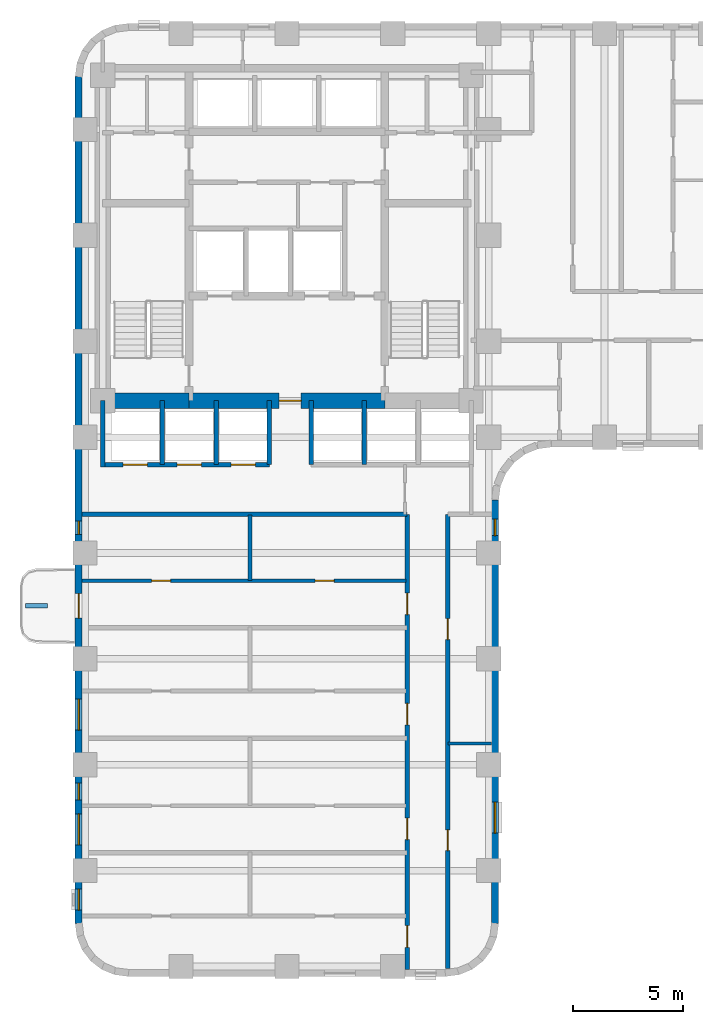
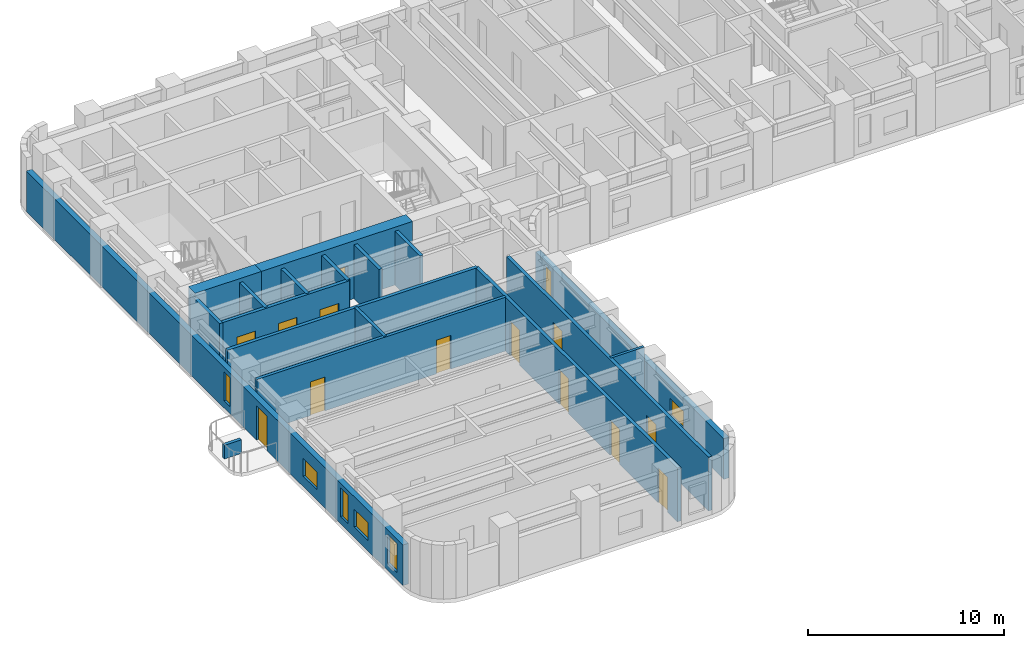
# One storey, part 3 of 11: 18 walls, 13 doors, 7 windows, 20 openings.
"""IFC4 building model written with IfcOpenShell, lengths in metres."""

from ifc_helpers import new_model, si_unit, direction, frame, frame_2d, origin, place, context, subcontext, project, spatial, rectangle, extrude, material, layer, layer_set, type_object, element, fill, save


model = new_model("IFC4")

# Units and contexts
model_context = context("Model", 3, precision=1e-05, world=origin(), true_north=direction((0.0, 1.0)))
body_context = subcontext(model_context, "Body", "Model", "MODEL_VIEW")
ifc_project = project(units=[si_unit("LENGTHUNIT", "METRE"), si_unit("AREAUNIT", "SQUARE_METRE"), si_unit("VOLUMEUNIT", "CUBIC_METRE"), si_unit("PLANEANGLEUNIT", "RADIAN"), si_unit("MASSUNIT", "GRAM", prefix="KILO")], contexts=[model_context])

# Site, building, storey
site_placement = place(None, origin())
site = spatial("IfcSite", under=ifc_project, at=site_placement, CompositionType="ELEMENT")
building_placement = place(site_placement, origin())
building = spatial("IfcBuilding", under=site, at=building_placement, Name="Orvandelia Arch Residences", CompositionType="ELEMENT")
storey_placement = place(building_placement, frame((0.0, 0.0, 86.199951171875)))
storey = spatial("IfcBuildingStorey", under=building, at=storey_placement, Name="L22", CompositionType="ELEMENT", Elevation=86.199951171875)

# Wall
ifc_material_1 = material(Name="Concrete C80/95", Category="concrete")
ifc_layer_1 = layer(ifc_material_1, 0.699951171875, Name="Concrete C80/95", Category="concrete")
ifc_layer_set_1 = layer_set([ifc_layer_1], Name="Concrete C80/95")
wall_type_1 = type_object("IfcWallType", Name="WL-CORE-700", PredefinedType="SHEAR", material=ifc_layer_set_1)
wall_1_placement = place(storey_placement, frame((6.050048828125, 30.89990234375, 0.0), z_axis=(0.0, 0.0, 1.0), x_axis=(1.0, 0.0, 0.0)))
element("IfcWall", 1, at=wall_1_placement, inside=storey, type_object=wall_type_1, Name="Core Shear Wall L22-SW", PredefinedType="SHEAR", context=body_context, shape_type="SweptSolid", body=[
    extrude(rectangle(XDim=3.909912109375, YDim=0.699951171875, at=frame_2d((1.955078125, 0.0))), origin(), (0.0, 0.0, 1.0), 3.60009765625),
])

# Wall, opening, door
wall_2_placement = place(storey_placement, frame((9.9599609375, 30.89990234375, 0.0), z_axis=(0.0, 0.0, 1.0), x_axis=(1.0, 0.0, 0.0)))
wall_2 = element("IfcWall", 2, at=wall_2_placement, inside=storey, type_object=wall_type_1, Name="Core Shear Wall L22-SM", PredefinedType="SHEAR", context=body_context, shape_type="SweptSolid", body=[
    extrude(rectangle(XDim=8.880126953125, YDim=0.699951171875, at=frame_2d((4.43994140625, 0.0))), origin(), (0.0, 0.0, 1.0), 3.60009765625),
])
opening_1_placement = place(wall_2_placement, frame((4.090087890625, 0.0, 0.0)))
opening_1 = element("IfcOpeningElement", 3, at=opening_1_placement, cuts=wall_2, Name="Opening D6", PredefinedType="OPENING", context=body_context, shape_type="SweptSolid", body=[
    extrude(rectangle(XDim=1.0, YDim=2.14990234375, at=frame_2d((0.5, 1.074951171875))), frame((0.0, 0.35986328125, 0.0), z_axis=(0.0, -1.0, 0.0), x_axis=(1.0, 0.0, 0.0)), (0.0, 0.0, 1.0), 0.719970703125),
])
ifc_material_2 = material(Name="Smokeproof Painted Steel Fire Door", Category="steel")
door_type_1 = type_object("IfcDoorType", Name="DR-FD60-1000", OperationType="NOTDEFINED", PredefinedType="DOOR", material=ifc_material_2)
door_1_placement = place(opening_1_placement, origin())
door_1 = element("IfcDoor", 4, at=door_1_placement, inside=storey, type_object=door_type_1, Name="Firefighting Lobby Smokeproof Door L22", OperationType="SINGLE_SWING_LEFT", OverallHeight=2.14990234375, OverallWidth=1.0, PredefinedType="DOOR", context=body_context, shape_type="SweptSolid", body=[
    extrude(rectangle(XDim=1.0, YDim=2.14990234375, at=frame_2d((0.5, 1.074951171875))), frame((0.0, 0.02490234375, 0.0), z_axis=(0.0, -1.0, 0.0), x_axis=(1.0, 0.0, 0.0)), (0.0, 0.0, 1.0), 0.050048828125),
])
fill(opening_1, door_1)

# Wall, openings, doors
ifc_material_3 = material(Name="Fire-Rated Corridor Partition")
ifc_layer_2 = layer(ifc_material_3, 0.199951171875, Name="Fire-Rated Corridor Partition")
ifc_layer_set_2 = layer_set([ifc_layer_2], Name="Fire-Rated Corridor Partition")
wall_type_2 = type_object("IfcWallType", Name="WL-CORR-200", PredefinedType="PARTITIONING", material=ifc_layer_set_2)
wall_3_placement = place(storey_placement, frame((19.85009765625, 5.1201171875, 0.0), z_axis=(0.0, 0.0, 1.0), x_axis=(0.0, 1.0, 0.0)))
wall_3 = element("IfcWall", 5, at=wall_3_placement, inside=storey, type_object=wall_type_2, Name="Interior Partition Wall WL-L22-WC-W", PredefinedType="PARTITIONING", context=body_context, shape_type="SweptSolid", body=[
    extrude(rectangle(XDim=20.6298828125, YDim=0.199951171875, at=frame_2d((10.31494140625, 0.0))), origin(), (0.0, 0.0, 1.0), 3.35009765625),
])
opening_2_placement = place(wall_3_placement, frame((1.0009765625, 0.0, 0.0)))
opening_2 = element("IfcOpeningElement", 6, at=opening_2_placement, cuts=wall_3, Name="Opening D1", PredefinedType="OPENING", context=body_context, shape_type="SweptSolid", body=[
    extrude(rectangle(XDim=0.97998046875, YDim=2.179931640625, at=frame_2d((0.489990234375, 1.08984375))), frame((0.0, 0.10986328125, 0.0), z_axis=(0.0, -1.0, 0.0), x_axis=(1.0, 0.0, 0.0)), (0.0, 0.0, 1.0), 0.219970703125),
])
opening_3_placement = place(wall_3_placement, frame((5.8798828125, 0.0, 0.0)))
opening_3 = element("IfcOpeningElement", 7, at=opening_3_placement, cuts=wall_3, Name="Opening D1", PredefinedType="OPENING", context=body_context, shape_type="SweptSolid", body=[
    extrude(rectangle(XDim=0.97998046875, YDim=2.179931640625, at=frame_2d((0.489990234375, 1.08984375))), frame((0.0, 0.10986328125, 0.0), z_axis=(0.0, -1.0, 0.0), x_axis=(1.0, 0.0, 0.0)), (0.0, 0.0, 1.0), 0.219970703125),
])
opening_4_placement = place(wall_3_placement, frame((11.080078125, 0.0, 0.0)))
opening_4 = element("IfcOpeningElement", 8, at=opening_4_placement, cuts=wall_3, Name="Opening D1", PredefinedType="OPENING", context=body_context, shape_type="SweptSolid", body=[
    extrude(rectangle(XDim=0.97998046875, YDim=2.179931640625, at=frame_2d((0.489990234375, 1.08984375))), frame((0.0, 0.10986328125, 0.0), z_axis=(0.0, -1.0, 0.0), x_axis=(1.0, 0.0, 0.0)), (0.0, 0.0, 1.0), 0.219970703125),
])
opening_5_placement = place(wall_3_placement, frame((16.080078125, 0.0, 0.0)))
opening_5 = element("IfcOpeningElement", 9, at=opening_5_placement, cuts=wall_3, Name="Opening D1", PredefinedType="OPENING", context=body_context, shape_type="SweptSolid", body=[
    extrude(rectangle(XDim=0.97998046875, YDim=2.179931640625, at=frame_2d((0.489990234375, 1.08984375))), frame((0.0, 0.10986328125, 0.0), z_axis=(0.0, -1.0, 0.0), x_axis=(1.0, 0.0, 0.0)), (0.0, 0.0, 1.0), 0.219970703125),
])
ifc_material_4 = material(Name="Solid-Core Timber Acoustic Fire Door", Category="wood")
door_type_2 = type_object("IfcDoorType", Name="DR-ENT-980", OperationType="NOTDEFINED", PredefinedType="DOOR", material=ifc_material_4)
door_2_placement = place(opening_2_placement, origin())
door_2 = element("IfcDoor", 10, at=door_2_placement, inside=storey, type_object=door_type_2, Name="Unit L22-01 Entrance Door", OperationType="SINGLE_SWING_LEFT", OverallHeight=2.179931640625, OverallWidth=0.97998046875, PredefinedType="DOOR", context=body_context, shape_type="SweptSolid", body=[
    extrude(rectangle(XDim=0.97998046875, YDim=2.179931640625, at=frame_2d((0.489990234375, 1.08984375))), frame((0.0, 0.02490234375, 0.0), z_axis=(0.0, -1.0, 0.0), x_axis=(1.0, 0.0, 0.0)), (0.0, 0.0, 1.0), 0.050048828125),
])
fill(opening_2, door_2)
door_3_placement = place(opening_3_placement, origin())
door_3 = element("IfcDoor", 11, at=door_3_placement, inside=storey, type_object=door_type_2, Name="Unit L22-02 Entrance Door", OperationType="SINGLE_SWING_RIGHT", OverallHeight=2.179931640625, OverallWidth=0.97998046875, PredefinedType="DOOR", context=body_context, shape_type="SweptSolid", body=[
    extrude(rectangle(XDim=0.97998046875, YDim=2.179931640625, at=frame_2d((0.489990234375, 1.08984375))), frame((0.0, 0.02490234375, 0.0), z_axis=(0.0, -1.0, 0.0), x_axis=(1.0, 0.0, 0.0)), (0.0, 0.0, 1.0), 0.050048828125),
])
fill(opening_3, door_3)
door_4_placement = place(opening_4_placement, origin())
door_4 = element("IfcDoor", 12, at=door_4_placement, inside=storey, type_object=door_type_2, Name="Unit L22-03 Entrance Door", OperationType="SINGLE_SWING_LEFT", OverallHeight=2.179931640625, OverallWidth=0.97998046875, PredefinedType="DOOR", context=body_context, shape_type="SweptSolid", body=[
    extrude(rectangle(XDim=0.97998046875, YDim=2.179931640625, at=frame_2d((0.489990234375, 1.08984375))), frame((0.0, 0.02490234375, 0.0), z_axis=(0.0, -1.0, 0.0), x_axis=(1.0, 0.0, 0.0)), (0.0, 0.0, 1.0), 0.050048828125),
])
fill(opening_4, door_4)
door_5_placement = place(opening_5_placement, origin())
door_5 = element("IfcDoor", 13, at=door_5_placement, inside=storey, type_object=door_type_2, Name="Unit L22-04 Entrance Door", OperationType="SINGLE_SWING_RIGHT", OverallHeight=2.179931640625, OverallWidth=0.97998046875, PredefinedType="DOOR", context=body_context, shape_type="SweptSolid", body=[
    extrude(rectangle(XDim=0.97998046875, YDim=2.179931640625, at=frame_2d((0.489990234375, 1.08984375))), frame((0.0, 0.02490234375, 0.0), z_axis=(0.0, -1.0, 0.0), x_axis=(1.0, 0.0, 0.0)), (0.0, 0.0, 1.0), 0.050048828125),
])
fill(opening_5, door_5)

wall_4_placement = place(storey_placement, frame((21.699951171875, 5.159912109375, 0.0), z_axis=(0.0, 0.0, 1.0), x_axis=(0.0, 1.0, 0.0)))
wall_4 = element("IfcWall", 14, at=wall_4_placement, inside=storey, type_object=wall_type_2, Name="Interior Partition Wall WL-L22-WC-E", PredefinedType="PARTITIONING", context=body_context, shape_type="SweptSolid", body=[
    extrude(rectangle(XDim=20.590087890625, YDim=0.199951171875, at=frame_2d((10.294921875, 0.0))), origin(), (0.0, 0.0, 1.0), 3.35009765625),
])
opening_6_placement = place(wall_4_placement, frame((5.340087890625, 0.0, 0.0)))
opening_6 = element("IfcOpeningElement", 15, at=opening_6_placement, cuts=wall_4, Name="Opening D2", PredefinedType="OPENING", context=body_context, shape_type="SweptSolid", body=[
    extrude(rectangle(XDim=0.949951171875, YDim=2.14990234375, at=frame_2d((0.47509765625, 1.074951171875))), frame((0.0, 0.10986328125, 0.0), z_axis=(0.0, -1.0, 0.0), x_axis=(1.0, 0.0, 0.0)), (0.0, 0.0, 1.0), 0.219970703125),
])
opening_7_placement = place(wall_4_placement, frame((14.909912109375, 0.0, 0.0)))
opening_7 = element("IfcOpeningElement", 16, at=opening_7_placement, cuts=wall_4, Name="Opening D2", PredefinedType="OPENING", context=body_context, shape_type="SweptSolid", body=[
    extrude(rectangle(XDim=0.949951171875, YDim=2.14990234375, at=frame_2d((0.47509765625, 1.074951171875))), frame((0.0, 0.10986328125, 0.0), z_axis=(0.0, -1.0, 0.0), x_axis=(1.0, 0.0, 0.0)), (0.0, 0.0, 1.0), 0.219970703125),
])
ifc_material_5 = material(Name="Solid-Core Timber Interior Fire Door", Category="wood")
door_type_3 = type_object("IfcDoorType", Name="DR-APT-950", OperationType="NOTDEFINED", PredefinedType="DOOR", material=ifc_material_5)
door_6_placement = place(opening_6_placement, origin())
door_6 = element("IfcDoor", 17, at=door_6_placement, inside=storey, type_object=door_type_3, Name="DR-L22-EGALV1", OperationType="SINGLE_SWING_LEFT", OverallHeight=2.14990234375, OverallWidth=0.949951171875, PredefinedType="DOOR", context=body_context, shape_type="SweptSolid", body=[
    extrude(rectangle(XDim=0.949951171875, YDim=2.14990234375, at=frame_2d((0.47509765625, 1.074951171875))), frame((0.0, 0.02490234375, 0.0), z_axis=(0.0, -1.0, 0.0), x_axis=(1.0, 0.0, 0.0)), (0.0, 0.0, 1.0), 0.050048828125),
])
fill(opening_6, door_6)
door_7_placement = place(opening_7_placement, origin())
door_7 = element("IfcDoor", 18, at=door_7_placement, inside=storey, type_object=door_type_3, Name="DR-L22-EGLDY1", OperationType="SINGLE_SWING_RIGHT", OverallHeight=2.14990234375, OverallWidth=0.949951171875, PredefinedType="DOOR", context=body_context, shape_type="SweptSolid", body=[
    extrude(rectangle(XDim=0.949951171875, YDim=2.14990234375, at=frame_2d((0.47509765625, 1.074951171875))), frame((0.0, 0.02490234375, 0.0), z_axis=(0.0, -1.0, 0.0), x_axis=(1.0, 0.0, 0.0)), (0.0, 0.0, 1.0), 0.050048828125),
])
fill(opening_7, door_7)

# Wall
wall_5_placement = place(storey_placement, frame((5.1201171875, 25.75, 0.0), z_axis=(0.0, 0.0, 1.0), x_axis=(1.0, 0.0, 0.0)))
element("IfcWall", 19, at=wall_5_placement, inside=storey, type_object=wall_type_2, Name="Interior Partition Wall WL-L22-WCLS-W", PredefinedType="PARTITIONING", context=body_context, shape_type="SweptSolid", body=[
    extrude(rectangle(XDim=14.72998046875, YDim=0.199951171875, at=frame_2d((7.364990234375, 0.0))), origin(), (0.0, 0.0, 1.0), 3.35009765625),
])

# Wall, openings, windows
ifc_material_6 = material(Name="Precast concrete C40/50", Category="concrete")
ifc_layer_3 = layer(ifc_material_6, 0.320068359375, Name="Precast concrete C40/50", Category="concrete")
ifc_layer_set_3 = layer_set([ifc_layer_3], Name="Precast concrete C40/50")
wall_type_3 = type_object("IfcWallType", Name="WL-EXT-STONE-320", PredefinedType="STANDARD", material=ifc_layer_set_3)
wall_6_placement = place(storey_placement, frame((23.840087890625, 26.39990234375, 0.0), z_axis=(0.0, 0.0, 1.0), x_axis=(0.0, -1.0, 0.0)))
wall_6 = element("IfcWall", 20, at=wall_6_placement, inside=storey, type_object=wall_type_3, Name="Coral-Limestone Precast Facade Wall L22-028", PredefinedType="STANDARD", context=body_context, shape_type="SweptSolid", body=[
    extrude(rectangle(XDim=19.199951171875, YDim=0.320068359375, at=frame_2d((9.60009765625, 0.0))), origin(), (0.0, 0.0, 1.0), 2.530029296875),
])
opening_8_placement = place(wall_6_placement, frame((13.699951171875, 0.0, 0.64990234375)))
opening_8 = element("IfcOpeningElement", 21, at=opening_8_placement, cuts=wall_6, Name="Opening W10", PredefinedType="OPENING", context=body_context, shape_type="SweptSolid", body=[
    extrude(rectangle(XDim=1.39990234375, YDim=1.10009765625, at=frame_2d((0.699951171875, 0.550048828125))), frame((0.0, 0.169921875, 0.0), z_axis=(0.0, -1.0, 0.0), x_axis=(1.0, 0.0, 0.0)), (0.0, 0.0, 1.0), 0.340087890625),
])
opening_9_placement = place(wall_6_placement, frame((0.864990234375, 0.0, 0.449951171875)))
opening_9 = element("IfcOpeningElement", 22, at=opening_9_placement, cuts=wall_6, Name="Opening W11", PredefinedType="OPENING", context=body_context, shape_type="SweptSolid", body=[
    extrude(rectangle(XDim=0.75, YDim=1.800048828125, at=frame_2d((0.375, 0.89990234375))), frame((0.0, 0.169921875, 0.0), z_axis=(0.0, -1.0, 0.0), x_axis=(1.0, 0.0, 0.0)), (0.0, 0.0, 1.0), 0.340087890625),
])
ifc_material_7 = material(Name="Tempered Low-E Insulated Glazing", Category="glass")
window_type_1 = type_object("IfcWindowType", Name="WIN-BED-0750x1800", PartitioningType="SINGLE_PANEL", PredefinedType="WINDOW", material=ifc_material_7)
window_1_placement = place(opening_9_placement, origin())
window_1 = element("IfcWindow", 23, at=window_1_placement, inside=storey, type_object=window_type_1, Name="Recessed Punched Window L22-022", OverallHeight=1.800048828125, OverallWidth=0.75, PartitioningType="SINGLE_PANEL", PredefinedType="WINDOW", context=body_context, shape_type="SweptSolid", body=[
    extrude(rectangle(XDim=0.75, YDim=1.800048828125, at=frame_2d((0.375, 0.89990234375))), frame((0.0, 0.030029296875, 0.0), z_axis=(0.0, -1.0, 0.0), x_axis=(1.0, 0.0, 0.0)), (0.0, 0.0, 1.0), 0.06005859375),
])
fill(opening_9, window_1)
window_type_2 = type_object("IfcWindowType", Name="WIN-CLR-1400x1100", PartitioningType="SINGLE_PANEL", PredefinedType="WINDOW", material=ifc_material_7)
window_2_placement = place(opening_8_placement, origin())
window_2 = element("IfcWindow", 24, at=window_2_placement, inside=storey, type_object=window_type_2, Name="Recessed Punched Window L22-021", OverallHeight=1.10009765625, OverallWidth=1.39990234375, PartitioningType="SINGLE_PANEL", PredefinedType="WINDOW", context=body_context, shape_type="SweptSolid", body=[
    extrude(rectangle(XDim=1.39990234375, YDim=1.10009765625, at=frame_2d((0.699951171875, 0.550048828125))), frame((0.0, 0.030029296875, 0.0), z_axis=(0.0, -1.0, 0.0), x_axis=(1.0, 0.0, 0.0)), (0.0, 0.0, 1.0), 0.06005859375),
])
fill(opening_8, window_2)

# Wall, openings, door, windows
wall_7_placement = place(storey_placement, frame((4.9599609375, 7.199951171875, 0.0), z_axis=(0.0, 0.0, 1.0), x_axis=(0.0, 1.0, 0.0)))
wall_7 = element("IfcWall", 25, at=wall_7_placement, inside=storey, type_object=wall_type_3, Name="Coral-Limestone Precast Facade Wall L22-042", PredefinedType="STANDARD", context=body_context, shape_type="SweptSolid", body=[
    extrude(rectangle(XDim=38.400146484375, YDim=0.320068359375, at=frame_2d((19.2001953125, 0.0))), origin(), (0.0, 0.0, 1.0), 2.530029296875),
])
opening_10_placement = place(wall_7_placement, frame((13.85009765625, 0.0, 0.0)))
opening_10 = element("IfcOpeningElement", 26, at=opening_10_placement, cuts=wall_7, Name="Opening BD1", PredefinedType="OPENING", context=body_context, shape_type="SweptSolid", body=[
    extrude(rectangle(XDim=1.10009765625, YDim=2.14990234375, at=frame_2d((0.550048828125, 1.074951171875))), frame((0.0, 0.169921875, 0.0), z_axis=(0.0, -1.0, 0.0), x_axis=(1.0, 0.0, 0.0)), (0.0, 0.0, 1.0), 0.340087890625),
])
opening_11_placement = place(wall_7_placement, frame((3.570068359375, 0.0, 0.64990234375)))
opening_11 = element("IfcOpeningElement", 27, at=opening_11_placement, cuts=wall_7, Name="Opening W10", PredefinedType="OPENING", context=body_context, shape_type="SweptSolid", body=[
    extrude(rectangle(XDim=1.39990234375, YDim=1.10009765625, at=frame_2d((0.699951171875, 0.550048828125))), frame((0.0, 0.169921875, 0.0), z_axis=(0.0, -1.0, 0.0), x_axis=(1.0, 0.0, 0.0)), (0.0, 0.0, 1.0), 0.340087890625),
])
opening_12_placement = place(wall_7_placement, frame((8.77001953125, 0.0, 0.64990234375)))
opening_12 = element("IfcOpeningElement", 28, at=opening_12_placement, cuts=wall_7, Name="Opening W10", PredefinedType="OPENING", context=body_context, shape_type="SweptSolid", body=[
    extrude(rectangle(XDim=1.39990234375, YDim=1.10009765625, at=frame_2d((0.699951171875, 0.550048828125))), frame((0.0, 0.169921875, 0.0), z_axis=(0.0, -1.0, 0.0), x_axis=(1.0, 0.0, 0.0)), (0.0, 0.0, 1.0), 0.340087890625),
])
opening_13_placement = place(wall_7_placement, frame((0.611083984375, 0.0, 0.449951171875)))
opening_13 = element("IfcOpeningElement", 29, at=opening_13_placement, cuts=wall_7, Name="Opening W4", PredefinedType="OPENING", context=body_context, shape_type="SweptSolid", body=[
    extrude(rectangle(XDim=0.949951171875, YDim=1.800048828125, at=frame_2d((0.47509765625, 0.89990234375))), frame((0.0, 0.169921875, 0.0), z_axis=(0.0, -1.0, 0.0), x_axis=(1.0, 0.0, 0.0)), (0.0, 0.0, 1.0), 0.340087890625),
])
opening_14_placement = place(wall_7_placement, frame((5.610107421875, 0.0, 0.449951171875)))
opening_14 = element("IfcOpeningElement", 30, at=opening_14_placement, cuts=wall_7, Name="Opening W11", PredefinedType="OPENING", context=body_context, shape_type="SweptSolid", body=[
    extrude(rectangle(XDim=0.75, YDim=1.800048828125, at=frame_2d((0.375, 0.89990234375))), frame((0.0, 0.169921875, 0.0), z_axis=(0.0, -1.0, 0.0), x_axis=(1.0, 0.0, 0.0)), (0.0, 0.0, 1.0), 0.340087890625),
])
opening_15_placement = place(wall_7_placement, frame((17.64501953125, 0.0, 0.449951171875)))
opening_15 = element("IfcOpeningElement", 31, at=opening_15_placement, cuts=wall_7, Name="Opening W12", PredefinedType="OPENING", context=body_context, shape_type="SweptSolid", body=[
    extrude(rectangle(XDim=0.60009765625, YDim=1.800048828125, at=frame_2d((0.300048828125, 0.89990234375))), frame((0.0, 0.169921875, 0.0), z_axis=(0.0, -1.0, 0.0), x_axis=(1.0, 0.0, 0.0)), (0.0, 0.0, 1.0), 0.340087890625),
])
ifc_material_8 = material(Name="Thermally Broken Aluminium Glazed Door", Category="aluminium")
door_type_4 = type_object("IfcDoorType", Name="DR-BAL-GLAZ-1100", OperationType="NOTDEFINED", PredefinedType="DOOR", material=ifc_material_8)
door_8_placement = place(opening_10_placement, origin())
door_8 = element("IfcDoor", 32, at=door_8_placement, inside=storey, type_object=door_type_4, Name="Tree Balcony Glazed Door BAL-L22-W1", OperationType="SINGLE_SWING_RIGHT", OverallHeight=2.14990234375, OverallWidth=1.10009765625, PredefinedType="DOOR", context=body_context, shape_type="SweptSolid", body=[
    extrude(rectangle(XDim=1.10009765625, YDim=2.14990234375, at=frame_2d((0.550048828125, 1.074951171875))), frame((0.0, 0.02490234375, 0.0), z_axis=(0.0, -1.0, 0.0), x_axis=(1.0, 0.0, 0.0)), (0.0, 0.0, 1.0), 0.050048828125),
])
fill(opening_10, door_8)
window_3_placement = place(opening_14_placement, origin())
window_3 = element("IfcWindow", 33, at=window_3_placement, inside=storey, type_object=window_type_1, Name="Recessed Punched Window L22-028", OverallHeight=1.800048828125, OverallWidth=0.75, PartitioningType="SINGLE_PANEL", PredefinedType="WINDOW", context=body_context, shape_type="SweptSolid", body=[
    extrude(rectangle(XDim=0.75, YDim=1.800048828125, at=frame_2d((0.375, 0.89990234375))), frame((0.0, 0.030029296875, 0.0), z_axis=(0.0, -1.0, 0.0), x_axis=(1.0, 0.0, 0.0)), (0.0, 0.0, 1.0), 0.06005859375),
])
fill(opening_14, window_3)
window_4_placement = place(opening_11_placement, origin())
window_4 = element("IfcWindow", 34, at=window_4_placement, inside=storey, type_object=window_type_2, Name="Recessed Punched Window L22-025", OverallHeight=1.10009765625, OverallWidth=1.39990234375, PartitioningType="SINGLE_PANEL", PredefinedType="WINDOW", context=body_context, shape_type="SweptSolid", body=[
    extrude(rectangle(XDim=1.39990234375, YDim=1.10009765625, at=frame_2d((0.699951171875, 0.550048828125))), frame((0.0, 0.030029296875, 0.0), z_axis=(0.0, -1.0, 0.0), x_axis=(1.0, 0.0, 0.0)), (0.0, 0.0, 1.0), 0.06005859375),
])
fill(opening_11, window_4)
window_5_placement = place(opening_12_placement, origin())
window_5 = element("IfcWindow", 35, at=window_5_placement, inside=storey, type_object=window_type_2, Name="Recessed Punched Window L22-026", OverallHeight=1.10009765625, OverallWidth=1.39990234375, PartitioningType="SINGLE_PANEL", PredefinedType="WINDOW", context=body_context, shape_type="SweptSolid", body=[
    extrude(rectangle(XDim=1.39990234375, YDim=1.10009765625, at=frame_2d((0.699951171875, 0.550048828125))), frame((0.0, 0.030029296875, 0.0), z_axis=(0.0, -1.0, 0.0), x_axis=(1.0, 0.0, 0.0)), (0.0, 0.0, 1.0), 0.06005859375),
])
fill(opening_12, window_5)
window_type_3 = type_object("IfcWindowType", Name="WIN-LAN-0600x1800", PartitioningType="SINGLE_PANEL", PredefinedType="WINDOW", material=ifc_material_7)
window_6_placement = place(opening_15_placement, origin())
window_6 = element("IfcWindow", 36, at=window_6_placement, inside=storey, type_object=window_type_3, Name="Recessed Punched Window L22-029", OverallHeight=1.800048828125, OverallWidth=0.60009765625, PartitioningType="SINGLE_PANEL", PredefinedType="WINDOW", context=body_context, shape_type="SweptSolid", body=[
    extrude(rectangle(XDim=0.60009765625, YDim=1.800048828125, at=frame_2d((0.300048828125, 0.89990234375))), frame((0.0, 0.030029296875, 0.0), z_axis=(0.0, -1.0, 0.0), x_axis=(1.0, 0.0, 0.0)), (0.0, 0.0, 1.0), 0.06005859375),
])
fill(opening_15, window_6)
window_type_4 = type_object("IfcWindowType", Name="WIN-RES-0950x1800", PartitioningType="SINGLE_PANEL", PredefinedType="WINDOW", material=ifc_material_7)
window_7_placement = place(opening_13_placement, origin())
window_7 = element("IfcWindow", 37, at=window_7_placement, inside=storey, type_object=window_type_4, Name="Recessed Punched Window L22-027", OverallHeight=1.800048828125, OverallWidth=0.949951171875, PartitioningType="SINGLE_PANEL", PredefinedType="WINDOW", context=body_context, shape_type="SweptSolid", body=[
    extrude(rectangle(XDim=0.949951171875, YDim=1.800048828125, at=frame_2d((0.47509765625, 0.89990234375))), frame((0.0, 0.030029296875, 0.0), z_axis=(0.0, -1.0, 0.0), x_axis=(1.0, 0.0, 0.0)), (0.0, 0.0, 1.0), 0.06005859375),
])
fill(opening_13, window_7)

# Walls
ifc_material_9 = material(Name="Acoustic Gypsum Stud Partition")
ifc_layer_4 = layer(ifc_material_9, 0.14990234375, Name="Acoustic Gypsum Stud Partition")
ifc_layer_set_4 = layer_set([ifc_layer_4], Name="Acoustic Gypsum Stud Partition")
wall_type_4 = type_object("IfcWallType", Name="WL-PART-150", PredefinedType="PARTITIONING", material=ifc_layer_set_4)
wall_8_placement = place(storey_placement, frame((21.699951171875, 15.360107421875, 0.0), z_axis=(0.0, 0.0, 1.0), x_axis=(1.0, 0.0, 0.0)))
element("IfcWall", 38, at=wall_8_placement, inside=storey, type_object=wall_type_4, Name="Interior Partition Wall WL-L22-EGDIV-1", PredefinedType="PARTITIONING", context=body_context, shape_type="SweptSolid", body=[
    extrude(rectangle(XDim=1.97998046875, YDim=0.14990234375, at=frame_2d((0.989990234375, 0.0))), origin(), (0.0, 0.0, 1.0), 3.35009765625),
])
ifc_layer_5 = layer(ifc_material_6, 0.199951171875, Name="Precast concrete C40/50", Category="concrete")
ifc_layer_set_5 = layer_set([ifc_layer_5], Name="Precast concrete C40/50")
wall_type_5 = type_object("IfcWallType", Name="WL-PLANTER-200", PredefinedType="MOVABLE", material=ifc_layer_set_5)
wall_9_placement = place(storey_placement, frame((2.550048828125, 21.60009765625, 0.0), z_axis=(0.0, 0.0, 1.0), x_axis=(1.0, 0.0, 0.0)))
element("IfcWall", 39, at=wall_9_placement, inside=storey, type_object=wall_type_5, Name="Balcony Precast Tree Planter BAL-L22-W1", PredefinedType="MOVABLE", context=body_context, shape_type="SweptSolid", body=[
    extrude(rectangle(XDim=1.0, YDim=0.199951171875, at=frame_2d((0.5, 0.0))), origin(), (0.0, 0.0, 1.0), 0.85009765625),
])

# Wall, openings, doors
ifc_material_10 = material(Name="Fire-Rated Shaft Enclosure Wall")
ifc_layer_6 = layer(ifc_material_10, 0.199951171875, Name="Fire-Rated Shaft Enclosure Wall")
ifc_layer_set_6 = layer_set([ifc_layer_6], Name="Fire-Rated Shaft Enclosure Wall")
wall_type_6 = type_object("IfcWallType", Name="WL-SHAFT-200", PredefinedType="POLYGONAL", material=ifc_layer_set_6)
wall_10_placement = place(storey_placement, frame((6.050048828125, 28.0, 0.0), z_axis=(0.0, 0.0, 1.0), x_axis=(1.0, 0.0, 0.0)))
wall_10 = element("IfcWall", 40, at=wall_10_placement, inside=storey, type_object=wall_type_6, Name="Interior Partition Wall WL-L22-BNKL-S", PredefinedType="POLYGONAL", context=body_context, shape_type="SweptSolid", body=[
    extrude(rectangle(XDim=7.550048828125, YDim=0.199951171875, at=frame_2d((3.77490234375, 0.0))), origin(), (0.0, 0.0, 1.0), 3.35009765625),
])
opening_16_placement = place(wall_10_placement, frame((0.925048828125, 0.0, 0.0)))
opening_16 = element("IfcOpeningElement", 41, at=opening_16_placement, cuts=wall_10, Name="Opening LD", PredefinedType="OPENING", context=body_context, shape_type="SweptSolid", body=[
    extrude(rectangle(XDim=1.10009765625, YDim=2.14990234375, at=frame_2d((0.550048828125, 1.074951171875))), frame((0.0, 0.10986328125, 0.0), z_axis=(0.0, -1.0, 0.0), x_axis=(1.0, 0.0, 0.0)), (0.0, 0.0, 1.0), 0.219970703125),
])
opening_17_placement = place(wall_10_placement, frame((3.375, 0.0, 0.0)))
opening_17 = element("IfcOpeningElement", 42, at=opening_17_placement, cuts=wall_10, Name="Opening LD", PredefinedType="OPENING", context=body_context, shape_type="SweptSolid", body=[
    extrude(rectangle(XDim=1.10009765625, YDim=2.14990234375, at=frame_2d((0.550048828125, 1.074951171875))), frame((0.0, 0.10986328125, 0.0), z_axis=(0.0, -1.0, 0.0), x_axis=(1.0, 0.0, 0.0)), (0.0, 0.0, 1.0), 0.219970703125),
])
opening_18_placement = place(wall_10_placement, frame((5.824951171875, 0.0, 0.0)))
opening_18 = element("IfcOpeningElement", 43, at=opening_18_placement, cuts=wall_10, Name="Opening LD", PredefinedType="OPENING", context=body_context, shape_type="SweptSolid", body=[
    extrude(rectangle(XDim=1.10009765625, YDim=2.14990234375, at=frame_2d((0.550048828125, 1.074951171875))), frame((0.0, 0.10986328125, 0.0), z_axis=(0.0, -1.0, 0.0), x_axis=(1.0, 0.0, 0.0)), (0.0, 0.0, 1.0), 0.219970703125),
])
ifc_material_11 = material(Name="Brushed Stainless Steel Sliding Lift Door", Category="steel")
door_type_5 = type_object("IfcDoorType", Name="DR-LIFT-1100", OperationType="NOTDEFINED", PredefinedType="DOOR", material=ifc_material_11)
door_9_placement = place(opening_16_placement, origin())
door_9 = element("IfcDoor", 44, at=door_9_placement, inside=storey, type_object=door_type_5, Name="Lift Landing Door LD-PL1", OperationType="SLIDING_TO_LEFT", OverallHeight=2.14990234375, OverallWidth=1.10009765625, PredefinedType="DOOR", context=body_context, shape_type="SweptSolid", body=[
    extrude(rectangle(XDim=1.10009765625, YDim=2.14990234375, at=frame_2d((0.550048828125, 1.074951171875))), frame((0.0, 0.02490234375, 0.0), z_axis=(0.0, -1.0, 0.0), x_axis=(1.0, 0.0, 0.0)), (0.0, 0.0, 1.0), 0.050048828125),
])
fill(opening_16, door_9)
door_10_placement = place(opening_17_placement, origin())
door_10 = element("IfcDoor", 45, at=door_10_placement, inside=storey, type_object=door_type_5, Name="Lift Landing Door LD-PL2", OperationType="SLIDING_TO_RIGHT", OverallHeight=2.14990234375, OverallWidth=1.10009765625, PredefinedType="DOOR", context=body_context, shape_type="SweptSolid", body=[
    extrude(rectangle(XDim=1.10009765625, YDim=2.14990234375, at=frame_2d((0.550048828125, 1.074951171875))), frame((0.0, 0.02490234375, 0.0), z_axis=(0.0, -1.0, 0.0), x_axis=(1.0, 0.0, 0.0)), (0.0, 0.0, 1.0), 0.050048828125),
])
fill(opening_17, door_10)
door_11_placement = place(opening_18_placement, origin())
door_11 = element("IfcDoor", 46, at=door_11_placement, inside=storey, type_object=door_type_5, Name="Lift Landing Door LD-PL3", OperationType="SLIDING_TO_LEFT", OverallHeight=2.14990234375, OverallWidth=1.10009765625, PredefinedType="DOOR", context=body_context, shape_type="SweptSolid", body=[
    extrude(rectangle(XDim=1.10009765625, YDim=2.14990234375, at=frame_2d((0.550048828125, 1.074951171875))), frame((0.0, 0.02490234375, 0.0), z_axis=(0.0, -1.0, 0.0), x_axis=(1.0, 0.0, 0.0)), (0.0, 0.0, 1.0), 0.050048828125),
])
fill(opening_18, door_11)

# Walls
wall_11_placement = place(storey_placement, frame((6.050048828125, 27.89990234375, 0.0), z_axis=(0.0, 0.0, 1.0), x_axis=(0.0, 1.0, 0.0)))
element("IfcWall", 47, at=wall_11_placement, inside=storey, type_object=wall_type_6, Name="Interior Partition Wall WL-L22-BNKL-W", PredefinedType="POLYGONAL", context=body_context, shape_type="SweptSolid", body=[
    extrude(rectangle(XDim=3.0, YDim=0.199951171875, at=frame_2d((1.5, 0.0))), origin(), (0.0, 0.0, 1.0), 3.35009765625),
])
for number, where, z_axis, x_axis, name in (
    (48, (13.60009765625, 28.0, 0.0), (0.0, 0.0, 1.0), (0.0, 1.0, 0.0), "Interior Partition Wall WL-L22-BNKL-E"),
    (49, (15.5, 28.0, 0.0), (0.0, 0.0, 1.0), (0.0, 1.0, 0.0), "Interior Partition Wall WL-L22-BNKM-W"),
    (50, (8.75, 28.0, 0.0), (0.0, 0.0, 1.0), (0.0, 1.0, 0.0), "Interior Partition Wall WL-L22-BNKD-875"),
    (51, (11.199951171875, 28.0, 0.0), (0.0, 0.0, 1.0), (0.0, 1.0, 0.0), "Interior Partition Wall WL-L22-BNKD-1120"),
    (52, (17.89990234375, 28.0, 0.0), (0.0, 0.0, 1.0), (0.0, 1.0, 0.0), "Interior Partition Wall WL-L22-BNKD-1789"),
):
    element("IfcWall", number, at=place(storey_placement, frame(where, z_axis=z_axis, x_axis=x_axis)), inside=storey, type_object=wall_type_6, Name=name, PredefinedType="POLYGONAL", context=body_context, shape_type="SweptSolid", body=[
        extrude(rectangle(XDim=2.89990234375, YDim=0.199951171875, at=frame_2d((1.449951171875, 0.0))), origin(), (0.0, 0.0, 1.0), 3.35009765625),
    ])

# Wall, openings, doors
ifc_material_12 = material(Name="Moisture-Resistant Plumbing Wall")
ifc_layer_7 = layer(ifc_material_12, 0.179931640625, Name="Moisture-Resistant Plumbing Wall")
ifc_layer_set_7 = layer_set([ifc_layer_7], Name="Moisture-Resistant Plumbing Wall")
wall_type_7 = type_object("IfcWallType", Name="WL-WET-180", PredefinedType="PLUMBINGWALL", material=ifc_layer_set_7)
wall_12_placement = place(storey_placement, frame((5.1201171875, 22.739990234375, 0.0), z_axis=(0.0, 0.0, 1.0), x_axis=(1.0, 0.0, 0.0)))
wall_12 = element("IfcWall", 53, at=wall_12_placement, inside=storey, type_object=wall_type_7, Name="Interior Partition Wall WL-L22-U04-HZ", PredefinedType="PLUMBINGWALL", context=body_context, shape_type="SweptSolid", body=[
    extrude(rectangle(XDim=14.669921875, YDim=0.179931640625, at=frame_2d((7.3349609375, 0.0))), origin(), (0.0, 0.0, 1.0), 3.35009765625),
])
opening_19_placement = place(wall_12_placement, frame((3.14501953125, 0.0, 0.0)))
opening_19 = element("IfcOpeningElement", 54, at=opening_19_placement, cuts=wall_12, Name="Opening D4", PredefinedType="OPENING", context=body_context, shape_type="SweptSolid", body=[
    extrude(rectangle(XDim=0.860107421875, YDim=2.10009765625, at=frame_2d((0.43017578125, 1.050048828125))), frame((0.0, 0.10009765625, 0.0), z_axis=(0.0, -1.0, 0.0), x_axis=(1.0, 0.0, 0.0)), (0.0, 0.0, 1.0), 0.199951171875),
])
opening_20_placement = place(wall_12_placement, frame((10.56005859375, 0.0, 0.0)))
opening_20 = element("IfcOpeningElement", 55, at=opening_20_placement, cuts=wall_12, Name="Opening D4", PredefinedType="OPENING", context=body_context, shape_type="SweptSolid", body=[
    extrude(rectangle(XDim=0.860107421875, YDim=2.10009765625, at=frame_2d((0.43017578125, 1.050048828125))), frame((0.0, 0.10009765625, 0.0), z_axis=(0.0, -1.0, 0.0), x_axis=(1.0, 0.0, 0.0)), (0.0, 0.0, 1.0), 0.199951171875),
])
ifc_material_13 = material(Name="Moisture-Sealed Timber Bathroom Door", Category="wood")
door_type_6 = type_object("IfcDoorType", Name="DR-WET-900", OperationType="NOTDEFINED", PredefinedType="DOOR", material=ifc_material_13)
door_12_placement = place(opening_19_placement, origin())
door_12 = element("IfcDoor", 56, at=door_12_placement, inside=storey, type_object=door_type_6, Name="DR-L22-U04-KIT", OperationType="SINGLE_SWING_RIGHT", OverallHeight=2.10009765625, OverallWidth=0.860107421875, PredefinedType="DOOR", context=body_context, shape_type="SweptSolid", body=[
    extrude(rectangle(XDim=0.860107421875, YDim=2.10009765625, at=frame_2d((0.43017578125, 1.050048828125))), frame((0.0, 0.02490234375, 0.0), z_axis=(0.0, -1.0, 0.0), x_axis=(1.0, 0.0, 0.0)), (0.0, 0.0, 1.0), 0.050048828125),
])
fill(opening_19, door_12)
door_13_placement = place(opening_20_placement, origin())
door_13 = element("IfcDoor", 57, at=door_13_placement, inside=storey, type_object=door_type_6, Name="DR-L22-U04-BTH", OperationType="SINGLE_SWING_LEFT", OverallHeight=2.10009765625, OverallWidth=0.860107421875, PredefinedType="DOOR", context=body_context, shape_type="SweptSolid", body=[
    extrude(rectangle(XDim=0.860107421875, YDim=2.10009765625, at=frame_2d((0.43017578125, 1.050048828125))), frame((0.0, 0.02490234375, 0.0), z_axis=(0.0, -1.0, 0.0), x_axis=(1.0, 0.0, 0.0)), (0.0, 0.0, 1.0), 0.050048828125),
])
fill(opening_20, door_13)

# Wall
wall_13_placement = place(storey_placement, frame((12.719970703125, 22.739990234375, 0.0), z_axis=(0.0, 0.0, 1.0), x_axis=(0.0, 1.0, 0.0)))
element("IfcWall", 58, at=wall_13_placement, inside=storey, type_object=wall_type_7, Name="Interior Partition Wall WL-L22-U04-V1", PredefinedType="PLUMBINGWALL", context=body_context, shape_type="SweptSolid", body=[
    extrude(rectangle(XDim=2.97998046875, YDim=0.179931640625, at=frame_2d((1.489990234375, 0.0))), origin(), (0.0, 0.0, 1.0), 3.35009765625),
])

save(model, "model.ifc")
